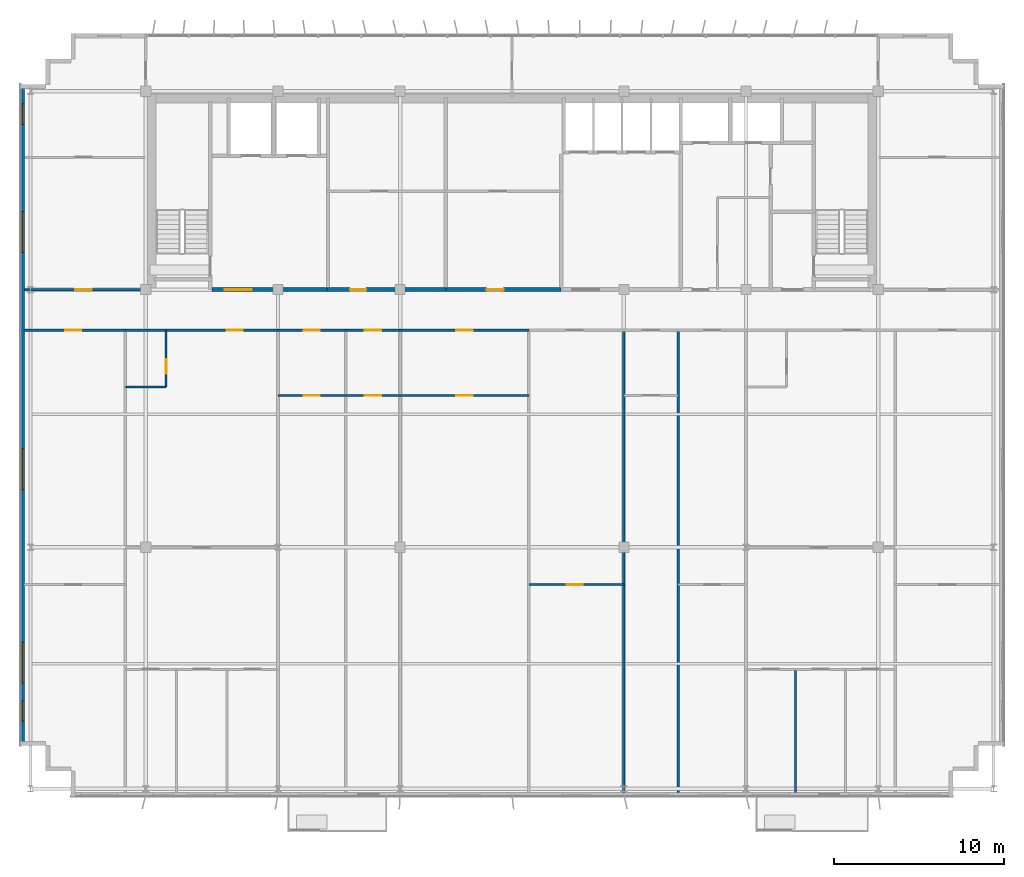
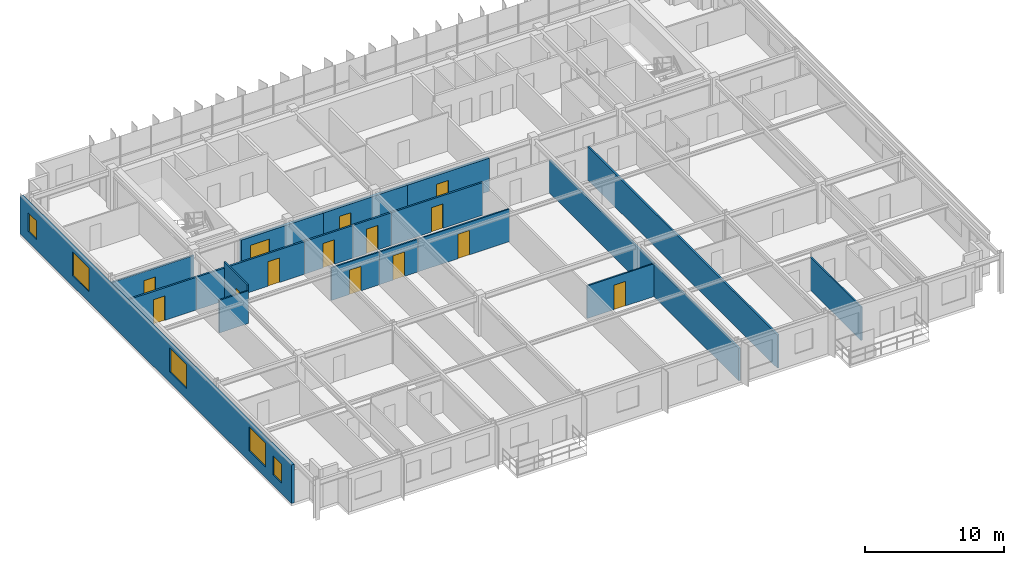
# One storey, part 17 of 22: 19 walls, 14 doors, 5 windows, 19 openings.
"""IFC4 building model written with IfcOpenShell, lengths in metres."""

from ifc_helpers import new_model, si_unit, direction, frame, frame_2d, origin, place, context, subcontext, project, spatial, rectangle, extrude, source, transform, mapped, material, layer, layer_set, type_object, element, fill, save


model = new_model("IFC4")

# Units and contexts
model_context = context("Model", 3, precision=1e-05, world=origin(), true_north=direction((0.0, 1.0)))
body_context = subcontext(model_context, "Body", "Model", "MODEL_VIEW")
ifc_project = project(units=[si_unit("LENGTHUNIT", "METRE"), si_unit("AREAUNIT", "SQUARE_METRE"), si_unit("VOLUMEUNIT", "CUBIC_METRE"), si_unit("PLANEANGLEUNIT", "RADIAN"), si_unit("MASSUNIT", "GRAM", prefix="KILO")], contexts=[model_context])

# Site, building, storey
site_placement = place(None, origin())
site = spatial("IfcSite", under=ifc_project, at=site_placement, CompositionType="ELEMENT")
building_placement = place(site_placement, origin())
building = spatial("IfcBuilding", under=site, at=building_placement, Name="Trelvane Seafront Commons", CompositionType="ELEMENT")
storey_placement = place(building_placement, frame((0.0, 0.0, 281.10009765625)))
storey = spatial("IfcBuildingStorey", under=building, at=storey_placement, Name="L73", CompositionType="ELEMENT", Elevation=281.10009765625)

# Wall, openings, windows
ifc_material_1 = material(Name="Precast concrete C40/50", Category="concrete")
ifc_layer_1 = layer(ifc_material_1, 0.239990234375, Name="ARCH-WALL-EXT240")
ifc_layer_set_1 = layer_set([ifc_layer_1], Name="Precast concrete C40/50")
wall_type_1 = type_object("IfcWallType", Name="ARCH-WALL-EXT240", PredefinedType="SOLIDWALL", material=ifc_layer_set_1)
wall_1_placement = place(storey_placement, frame((8.320068359375, 6.5, 0.0), z_axis=(0.0, 0.0, 1.0), x_axis=(0.0, 1.0, 0.0)))
wall_1 = element("IfcWall", 1, at=wall_1_placement, inside=storey, type_object=wall_type_1, Name="EW-L73-01471", PredefinedType="SOLIDWALL", context=body_context, shape_type="SweptSolid", body=[
    extrude(rectangle(XDim=39.0, YDim=0.239990234375, at=frame_2d((19.5, 0.0))), origin(), (0.0, 0.0, 1.0), 3.369873046875),
])
opening_1_placement = place(wall_1_placement, frame((1.449951171875, 0.0, 0.919921875)))
opening_1 = element("IfcOpeningElement", 2, at=opening_1_placement, cuts=wall_1, Name="Opening W05", PredefinedType="OPENING", context=body_context, shape_type="SweptSolid", body=[
    extrude(rectangle(XDim=1.199951171875, YDim=1.64990234375, at=frame_2d((0.60009765625, 0.824951171875))), frame((0.0, 0.1298828125, 0.0), z_axis=(0.0, -1.0, 0.0), x_axis=(1.0, 0.0, 0.0)), (0.0, 0.0, 1.0), 0.260009765625),
])
opening_2_placement = place(wall_1_placement, frame((3.699951171875, 0.0, 0.919921875)))
opening_2 = element("IfcOpeningElement", 3, at=opening_2_placement, cuts=wall_1, Name="Opening W08", PredefinedType="OPENING", context=body_context, shape_type="SweptSolid", body=[
    extrude(rectangle(XDim=2.39990234375, YDim=2.10009765625, at=frame_2d((1.199951171875, 1.050048828125))), frame((0.0, 0.1298828125, 0.0), z_axis=(0.0, -1.0, 0.0), x_axis=(1.0, 0.0, 0.0)), (0.0, 0.0, 1.0), 0.260009765625),
])
opening_3_placement = place(wall_1_placement, frame((15.10009765625, 0.0, 0.919921875)))
opening_3 = element("IfcOpeningElement", 4, at=opening_3_placement, cuts=wall_1, Name="Opening W08", PredefinedType="OPENING", context=body_context, shape_type="SweptSolid", body=[
    extrude(rectangle(XDim=2.39990234375, YDim=2.10009765625, at=frame_2d((1.199951171875, 1.050048828125))), frame((0.0, 0.1298828125, 0.0), z_axis=(0.0, -1.0, 0.0), x_axis=(1.0, 0.0, 0.0)), (0.0, 0.0, 1.0), 0.260009765625),
])
opening_4_placement = place(wall_1_placement, frame((29.10009765625, 0.0, 0.919921875)))
opening_4 = element("IfcOpeningElement", 5, at=opening_4_placement, cuts=wall_1, Name="Opening W08", PredefinedType="OPENING", context=body_context, shape_type="SweptSolid", body=[
    extrude(rectangle(XDim=2.39990234375, YDim=2.10009765625, at=frame_2d((1.199951171875, 1.050048828125))), frame((0.0, 0.1298828125, 0.0), z_axis=(0.0, -1.0, 0.0), x_axis=(1.0, 0.0, 0.0)), (0.0, 0.0, 1.0), 0.260009765625),
])
opening_5_placement = place(wall_1_placement, frame((36.64990234375, 0.0, 0.919921875)))
opening_5 = element("IfcOpeningElement", 6, at=opening_5_placement, cuts=wall_1, Name="Opening W05", PredefinedType="OPENING", context=body_context, shape_type="SweptSolid", body=[
    extrude(rectangle(XDim=1.199951171875, YDim=1.64990234375, at=frame_2d((0.60009765625, 0.824951171875))), frame((0.0, 0.1298828125, 0.0), z_axis=(0.0, -1.0, 0.0), x_axis=(1.0, 0.0, 0.0)), (0.0, 0.0, 1.0), 0.260009765625),
])
ifc_material_2 = material(Name="Low-E coastal double glazing", Category="glass")
window_type_1 = type_object("IfcWindowType", Name="ARCH-WIN-W08", PartitioningType="SINGLE_PANEL", PredefinedType="WINDOW", material=ifc_material_2)
shared_shape_1 = source(origin(), body_context, "Body", "SweptSolid", [
    extrude(rectangle(XDim=2.39990234375, YDim=2.10009765625, at=frame_2d((1.199951171875, 1.050048828125))), frame((0.0, 0.030029296875, 0.0), z_axis=(0.0, -1.0, 0.0), x_axis=(1.0, 0.0, 0.0)), (0.0, 0.0, 1.0), 0.06005859375),
])
window_1_placement = place(opening_2_placement, origin())
window_1 = element("IfcWindow", 7, at=window_1_placement, inside=storey, type_object=window_type_1, Name="WIN-L73-EW-01750", OverallHeight=2.10009765625, OverallWidth=2.39990234375, PartitioningType="SINGLE_PANEL", PredefinedType="WINDOW", context=body_context, shape_type="MappedRepresentation", body=[
    mapped(shared_shape_1, transform((0.0, 0.0, 0.0), x_axis=(1.0, 0.0, 0.0), y_axis=(0.0, 1.0, 0.0), z_axis=(0.0, 0.0, 1.0), scale=1.0)),
])
fill(opening_2, window_1)
window_2_placement = place(opening_3_placement, origin())
window_2 = element("IfcWindow", 8, at=window_2_placement, inside=storey, type_object=window_type_1, Name="WIN-L73-EW-01751", OverallHeight=2.10009765625, OverallWidth=2.39990234375, PartitioningType="SINGLE_PANEL", PredefinedType="WINDOW", context=body_context, shape_type="MappedRepresentation", body=[
    mapped(shared_shape_1, transform((0.0, 0.0, 0.0), x_axis=(1.0, 0.0, 0.0), y_axis=(0.0, 1.0, 0.0), z_axis=(0.0, 0.0, 1.0), scale=1.0)),
])
fill(opening_3, window_2)
window_3_placement = place(opening_4_placement, origin())
window_3 = element("IfcWindow", 9, at=window_3_placement, inside=storey, type_object=window_type_1, Name="WIN-L73-EW-01752", OverallHeight=2.10009765625, OverallWidth=2.39990234375, PartitioningType="SINGLE_PANEL", PredefinedType="WINDOW", context=body_context, shape_type="MappedRepresentation", body=[
    mapped(shared_shape_1, transform((0.0, 0.0, 0.0), x_axis=(1.0, 0.0, 0.0), y_axis=(0.0, 1.0, 0.0), z_axis=(0.0, 0.0, 1.0), scale=1.0)),
])
fill(opening_4, window_3)
window_type_2 = type_object("IfcWindowType", Name="ARCH-WIN-W05", PartitioningType="SINGLE_PANEL", PredefinedType="WINDOW", material=ifc_material_2)
shared_shape_2 = source(origin(), body_context, "Body", "SweptSolid", [
    extrude(rectangle(XDim=1.199951171875, YDim=1.64990234375, at=frame_2d((0.60009765625, 0.824951171875))), frame((0.0, 0.030029296875, 0.0), z_axis=(0.0, -1.0, 0.0), x_axis=(1.0, 0.0, 0.0)), (0.0, 0.0, 1.0), 0.06005859375),
])
window_4_placement = place(opening_1_placement, origin())
window_4 = element("IfcWindow", 10, at=window_4_placement, inside=storey, type_object=window_type_2, Name="WIN-L73-EW-01749", OverallHeight=1.64990234375, OverallWidth=1.199951171875, PartitioningType="SINGLE_PANEL", PredefinedType="WINDOW", context=body_context, shape_type="MappedRepresentation", body=[
    mapped(shared_shape_2, transform((0.0, 0.0, 0.0), x_axis=(1.0, 0.0, 0.0), y_axis=(0.0, 1.0, 0.0), z_axis=(0.0, 0.0, 1.0), scale=1.0)),
])
fill(opening_1, window_4)
window_5_placement = place(opening_5_placement, origin())
window_5 = element("IfcWindow", 11, at=window_5_placement, inside=storey, type_object=window_type_2, Name="WIN-L73-EW-01753", OverallHeight=1.64990234375, OverallWidth=1.199951171875, PartitioningType="SINGLE_PANEL", PredefinedType="WINDOW", context=body_context, shape_type="MappedRepresentation", body=[
    mapped(shared_shape_2, transform((0.0, 0.0, 0.0), x_axis=(1.0, 0.0, 0.0), y_axis=(0.0, 1.0, 0.0), z_axis=(0.0, 0.0, 1.0), scale=1.0)),
])
fill(opening_5, window_5)

# Wall, opening, door
ifc_material_3 = material(Name="Concrete C40/50", Category="concrete")
ifc_layer_2 = layer(ifc_material_3, 0.25, Name="ARCH-WALL-FIRE250")
ifc_layer_set_2 = layer_set([ifc_layer_2], Name="Concrete C40/50")
wall_type_2 = type_object("IfcWallType", Name="ARCH-WALL-FIRE250", PredefinedType="PARTITIONING", material=ifc_layer_set_2)
wall_2_placement = place(storey_placement, frame((19.5, 33.39990234375, 0.0), z_axis=(0.0, 0.0, 1.0), x_axis=(1.0, 0.0, 0.0)))
wall_2 = element("IfcWall", 12, at=wall_2_placement, inside=storey, type_object=wall_type_2, Name="W-L73-CS-FFL-013", PredefinedType="PARTITIONING", context=body_context, shape_type="SweptSolid", body=[
    extrude(rectangle(XDim=6.800048828125, YDim=0.25, at=frame_2d((3.39990234375, 0.0))), origin(), (0.0, 0.0, 1.0), 2.919921875),
])
opening_6_placement = place(wall_2_placement, frame((0.75, 0.0, 0.0)))
opening_6 = element("IfcOpeningElement", 13, at=opening_6_placement, cuts=wall_2, Name="Opening FD-L73-05", PredefinedType="OPENING", context=body_context, shape_type="SweptSolid", body=[
    extrude(rectangle(XDim=1.60009765625, YDim=2.199951171875, at=frame_2d((0.800048828125, 1.10009765625))), frame((0.0, 0.135009765625, 0.0), z_axis=(0.0, -1.0, 0.0), x_axis=(1.0, 0.0, 0.0)), (0.0, 0.0, 1.0), 0.27001953125),
])
ifc_material_4 = material(Name="Powder-coated aluminium frame", Category="aluminium")
door_type_1 = type_object("IfcDoorType", Name="ARCH-DR-FD60-1600", OperationType="DOUBLE_DOOR_SINGLE_SWING", PredefinedType="DOOR", material=ifc_material_4)
shared_shape_3 = source(origin(), body_context, "Body", "SweptSolid", [
    extrude(rectangle(XDim=1.60009765625, YDim=2.199951171875, at=frame_2d((0.800048828125, 1.10009765625))), frame((0.0, 0.02490234375, 0.0), z_axis=(0.0, -1.0, 0.0), x_axis=(1.0, 0.0, 0.0)), (0.0, 0.0, 1.0), 0.050048828125),
])
door_1_placement = place(opening_6_placement, origin())
door_1 = element("IfcDoor", 14, at=door_1_placement, inside=storey, type_object=door_type_1, Name="L73 Firefighting Lift Lobby Double Fire Door", OperationType="DOUBLE_DOOR_SINGLE_SWING", OverallHeight=2.199951171875, OverallWidth=1.60009765625, PredefinedType="DOOR", context=body_context, shape_type="MappedRepresentation", body=[
    mapped(shared_shape_3, transform((0.0, 0.0, 0.0), x_axis=(1.0, 0.0, 0.0), y_axis=(0.0, 1.0, 0.0), z_axis=(0.0, 0.0, 1.0), scale=1.0)),
])
fill(opening_6, door_1)

wall_3_placement = place(storey_placement, frame((26.300048828125, 33.39990234375, 0.0), z_axis=(0.0, 0.0, 1.0), x_axis=(1.0, 0.0, 0.0)))
wall_3 = element("IfcWall", 15, at=wall_3_placement, inside=storey, type_object=wall_type_2, Name="W-L73-CS-FPL-024", PredefinedType="PARTITIONING", context=body_context, shape_type="SweptSolid", body=[
    extrude(rectangle(XDim=7.0, YDim=0.25, at=frame_2d((3.5, 0.0))), origin(), (0.0, 0.0, 1.0), 2.919921875),
])
opening_7_placement = place(wall_3_placement, frame((1.35009765625, 0.0, 0.0)))
opening_7 = element("IfcOpeningElement", 16, at=opening_7_placement, cuts=wall_3, Name="Opening D-L73-12", PredefinedType="OPENING", context=body_context, shape_type="SweptSolid", body=[
    extrude(rectangle(XDim=0.949951171875, YDim=2.14990234375, at=frame_2d((0.47509765625, 1.074951171875))), frame((0.0, 0.135009765625, 0.0), z_axis=(0.0, -1.0, 0.0), x_axis=(1.0, 0.0, 0.0)), (0.0, 0.0, 1.0), 0.27001953125),
])
ifc_material_5 = material(Name="Acoustic timber door leaf", Category="wood")
door_type_2 = type_object("IfcDoorType", Name="ARCH-DR-INT950", OperationType="NOTDEFINED", PredefinedType="DOOR", material=ifc_material_5)
shared_shape_4 = source(origin(), body_context, "Body", "SweptSolid", [
    extrude(rectangle(XDim=0.949951171875, YDim=2.14990234375, at=frame_2d((0.47509765625, 1.074951171875))), frame((0.0, 0.02490234375, 0.0), z_axis=(0.0, -1.0, 0.0), x_axis=(1.0, 0.0, 0.0)), (0.0, 0.0, 1.0), 0.050048828125),
])
door_2_placement = place(opening_7_placement, origin())
door_2 = element("IfcDoor", 17, at=door_2_placement, inside=storey, type_object=door_type_2, Name="L73 Floor Pantry Entrance Door", OperationType="SINGLE_SWING_RIGHT", OverallHeight=2.14990234375, OverallWidth=0.949951171875, PredefinedType="DOOR", context=body_context, shape_type="MappedRepresentation", body=[
    mapped(shared_shape_4, transform((0.0, 0.0, 0.0), x_axis=(1.0, 0.0, 0.0), y_axis=(0.0, 1.0, 0.0), z_axis=(0.0, 0.0, 1.0), scale=1.0)),
])
fill(opening_7, door_2)

wall_4_placement = place(storey_placement, frame((33.300048828125, 33.39990234375, 0.0), z_axis=(0.0, 0.0, 1.0), x_axis=(1.0, 0.0, 0.0)))
wall_4 = element("IfcWall", 18, at=wall_4_placement, inside=storey, type_object=wall_type_2, Name="W-L73-CS-FPM-025", PredefinedType="PARTITIONING", context=body_context, shape_type="SweptSolid", body=[
    extrude(rectangle(XDim=6.800048828125, YDim=0.25, at=frame_2d((3.39990234375, 0.0))), origin(), (0.0, 0.0, 1.0), 2.919921875),
])
opening_8_placement = place(wall_4_placement, frame((2.39990234375, 0.0, 0.0)))
opening_8 = element("IfcOpeningElement", 19, at=opening_8_placement, cuts=wall_4, Name="Opening FD-L73-13", PredefinedType="OPENING", context=body_context, shape_type="SweptSolid", body=[
    extrude(rectangle(XDim=1.0, YDim=2.14990234375, at=frame_2d((0.5, 1.074951171875))), frame((0.0, 0.135009765625, 0.0), z_axis=(0.0, -1.0, 0.0), x_axis=(1.0, 0.0, 0.0)), (0.0, 0.0, 1.0), 0.27001953125),
])
door_type_3 = type_object("IfcDoorType", Name="ARCH-DR-FD60-1000", OperationType="NOTDEFINED", PredefinedType="DOOR", material=ifc_material_4)
shared_shape_5 = source(origin(), body_context, "Body", "SweptSolid", [
    extrude(rectangle(XDim=1.0, YDim=2.14990234375, at=frame_2d((0.5, 1.074951171875))), frame((0.0, 0.02490234375, 0.0), z_axis=(0.0, -1.0, 0.0), x_axis=(1.0, 0.0, 0.0)), (0.0, 0.0, 1.0), 0.050048828125),
])
door_3_placement = place(opening_8_placement, origin())
door_3 = element("IfcDoor", 20, at=door_3_placement, inside=storey, type_object=door_type_3, Name="L73 Trunk Storage Door", OperationType="SINGLE_SWING_LEFT", OverallHeight=2.14990234375, OverallWidth=1.0, PredefinedType="DOOR", context=body_context, shape_type="MappedRepresentation", body=[
    mapped(shared_shape_5, transform((0.0, 0.0, 0.0), x_axis=(1.0, 0.0, 0.0), y_axis=(0.0, 1.0, 0.0), z_axis=(0.0, 0.0, 1.0), scale=1.0)),
])
fill(opening_8, door_3)

ifc_material_6 = material(Name="Gypsum Drywall Acoustic Partition")
ifc_layer_3 = layer(ifc_material_6, 0.1201171875, Name="ARCH-WALL-PART120")
ifc_layer_set_3 = layer_set([ifc_layer_3], Name="Gypsum Drywall Acoustic Partition")
wall_type_3 = type_object("IfcWallType", Name="ARCH-WALL-PART120", PredefinedType="PARTITIONING", material=ifc_layer_set_3)
wall_5_placement = place(storey_placement, frame((16.800048828125, 27.64990234375, 0.0), z_axis=(0.0, 0.0, 1.0), x_axis=(0.0, 1.0, 0.0)))
wall_5 = element("IfcWall", 21, at=wall_5_placement, inside=storey, type_object=wall_type_3, Name="W-L73-U2-BE-054", PredefinedType="PARTITIONING", context=body_context, shape_type="SweptSolid", body=[
    extrude(rectangle(XDim=3.35009765625, YDim=0.1201171875, at=frame_2d((1.675048828125, 0.0))), origin(), (0.0, 0.0, 1.0), 3.369873046875),
])
opening_9_placement = place(wall_5_placement, frame((0.800048828125, 0.0, 0.0)))
opening_9 = element("IfcOpeningElement", 22, at=opening_9_placement, cuts=wall_5, Name="Opening D-L73-31", PredefinedType="OPENING", context=body_context, shape_type="SweptSolid", body=[
    extrude(rectangle(XDim=0.85009765625, YDim=2.10009765625, at=frame_2d((0.425048828125, 1.050048828125))), frame((0.0, 0.070068359375, 0.0), z_axis=(0.0, -1.0, 0.0), x_axis=(1.0, 0.0, 0.0)), (0.0, 0.0, 1.0), 0.14013671875),
])
door_type_4 = type_object("IfcDoorType", Name="ARCH-DR-INT850", OperationType="NOTDEFINED", PredefinedType="DOOR", material=ifc_material_5)
shared_shape_6 = source(origin(), body_context, "Body", "SweptSolid", [
    extrude(rectangle(XDim=0.85009765625, YDim=2.10009765625, at=frame_2d((0.425048828125, 1.050048828125))), frame((0.0, 0.02490234375, 0.0), z_axis=(0.0, -1.0, 0.0), x_axis=(1.0, 0.0, 0.0)), (0.0, 0.0, 1.0), 0.050048828125),
])
door_4_placement = place(opening_9_placement, origin())
door_4 = element("IfcDoor", 23, at=door_4_placement, inside=storey, type_object=door_type_4, Name="L73 Door 31", OperationType="SINGLE_SWING_LEFT", OverallHeight=2.10009765625, OverallWidth=0.85009765625, PredefinedType="DOOR", context=body_context, shape_type="MappedRepresentation", body=[
    mapped(shared_shape_6, transform((0.0, 0.0, 0.0), x_axis=(1.0, 0.0, 0.0), y_axis=(0.0, 1.0, 0.0), z_axis=(0.0, 0.0, 1.0), scale=1.0)),
])
fill(opening_9, door_4)

# Wall
wall_6_placement = place(storey_placement, frame((14.39990234375, 27.64990234375, 0.0), z_axis=(0.0, 0.0, 1.0), x_axis=(1.0, 0.0, 0.0)))
element("IfcWall", 24, at=wall_6_placement, inside=storey, type_object=wall_type_3, Name="W-L73-U2-BS-055", PredefinedType="PARTITIONING", context=body_context, shape_type="SweptSolid", body=[
    extrude(rectangle(XDim=2.400146484375, YDim=0.1201171875, at=frame_2d((1.2001953125, 0.0))), origin(), (0.0, 0.0, 1.0), 2.869873046875),
])

# Wall, opening, door
wall_7_placement = place(storey_placement, frame((23.39990234375, 27.14990234375, 0.0), z_axis=(0.0, 0.0, 1.0), x_axis=(1.0, 0.0, 0.0)))
wall_7 = element("IfcWall", 25, at=wall_7_placement, inside=storey, type_object=wall_type_3, Name="W-L73-U3-DIV-063", PredefinedType="PARTITIONING", context=body_context, shape_type="SweptSolid", body=[
    extrude(rectangle(XDim=4.0, YDim=0.1201171875, at=frame_2d((2.0, 0.0))), origin(), (0.0, 0.0, 1.0), 2.869873046875),
])
opening_10_placement = place(wall_7_placement, frame((1.52490234375, 0.0, 0.0)))
opening_10 = element("IfcOpeningElement", 26, at=opening_10_placement, cuts=wall_7, Name="Opening D-L73-37", PredefinedType="OPENING", context=body_context, shape_type="SweptSolid", body=[
    extrude(rectangle(XDim=0.949951171875, YDim=2.14990234375, at=frame_2d((0.47509765625, 1.074951171875))), frame((0.0, 0.070068359375, 0.0), z_axis=(0.0, -1.0, 0.0), x_axis=(1.0, 0.0, 0.0)), (0.0, 0.0, 1.0), 0.14013671875),
])
door_5_placement = place(opening_10_placement, origin())
door_5 = element("IfcDoor", 27, at=door_5_placement, inside=storey, type_object=door_type_2, Name="L73 Door 37", OperationType="SINGLE_SWING_LEFT", OverallHeight=2.14990234375, OverallWidth=0.949951171875, PredefinedType="DOOR", context=body_context, shape_type="MappedRepresentation", body=[
    mapped(shared_shape_4, transform((0.0, 0.0, 0.0), x_axis=(1.0, 0.0, 0.0), y_axis=(0.0, 1.0, 0.0), z_axis=(0.0, 0.0, 1.0), scale=1.0)),
])
fill(opening_10, door_5)

wall_8_placement = place(storey_placement, frame((27.39990234375, 27.14990234375, 0.0), z_axis=(0.0, 0.0, 1.0), x_axis=(1.0, 0.0, 0.0)))
wall_8 = element("IfcWall", 28, at=wall_8_placement, inside=storey, type_object=wall_type_3, Name="W-L73-U4-DIV-065", PredefinedType="PARTITIONING", context=body_context, shape_type="SweptSolid", body=[
    extrude(rectangle(XDim=3.2001953125, YDim=0.1201171875, at=frame_2d((1.60009765625, 0.0))), origin(), (0.0, 0.0, 1.0), 2.869873046875),
])
opening_11_placement = place(wall_8_placement, frame((1.125, 0.0, 0.0)))
opening_11 = element("IfcOpeningElement", 29, at=opening_11_placement, cuts=wall_8, Name="Opening D-L73-39", PredefinedType="OPENING", context=body_context, shape_type="SweptSolid", body=[
    extrude(rectangle(XDim=0.949951171875, YDim=2.14990234375, at=frame_2d((0.47509765625, 1.074951171875))), frame((0.0, 0.070068359375, 0.0), z_axis=(0.0, -1.0, 0.0), x_axis=(1.0, 0.0, 0.0)), (0.0, 0.0, 1.0), 0.14013671875),
])
door_6_placement = place(opening_11_placement, origin())
door_6 = element("IfcDoor", 30, at=door_6_placement, inside=storey, type_object=door_type_2, Name="L73 Door 39", OperationType="SINGLE_SWING_LEFT", OverallHeight=2.14990234375, OverallWidth=0.949951171875, PredefinedType="DOOR", context=body_context, shape_type="MappedRepresentation", body=[
    mapped(shared_shape_4, transform((0.0, 0.0, 0.0), x_axis=(1.0, 0.0, 0.0), y_axis=(0.0, 1.0, 0.0), z_axis=(0.0, 0.0, 1.0), scale=1.0)),
])
fill(opening_11, door_6)

wall_9_placement = place(storey_placement, frame((30.60009765625, 27.14990234375, 0.0), z_axis=(0.0, 0.0, 1.0), x_axis=(1.0, 0.0, 0.0)))
wall_9 = element("IfcWall", 31, at=wall_9_placement, inside=storey, type_object=wall_type_3, Name="W-L73-U5-DIV-067", PredefinedType="PARTITIONING", context=body_context, shape_type="SweptSolid", body=[
    extrude(rectangle(XDim=7.599853515625, YDim=0.1201171875, at=frame_2d((3.7998046875, 0.0))), origin(), (0.0, 0.0, 1.0), 2.869873046875),
])
opening_12_placement = place(wall_9_placement, frame((3.324951171875, 0.0, 0.0)))
opening_12 = element("IfcOpeningElement", 32, at=opening_12_placement, cuts=wall_9, Name="Opening D-L73-41", PredefinedType="OPENING", context=body_context, shape_type="SweptSolid", body=[
    extrude(rectangle(XDim=0.949951171875, YDim=2.14990234375, at=frame_2d((0.47509765625, 1.074951171875))), frame((0.0, 0.070068359375, 0.0), z_axis=(0.0, -1.0, 0.0), x_axis=(1.0, 0.0, 0.0)), (0.0, 0.0, 1.0), 0.14013671875),
])
door_7_placement = place(opening_12_placement, origin())
door_7 = element("IfcDoor", 33, at=door_7_placement, inside=storey, type_object=door_type_2, Name="L73 Door 41", OperationType="SINGLE_SWING_LEFT", OverallHeight=2.14990234375, OverallWidth=0.949951171875, PredefinedType="DOOR", context=body_context, shape_type="MappedRepresentation", body=[
    mapped(shared_shape_4, transform((0.0, 0.0, 0.0), x_axis=(1.0, 0.0, 0.0), y_axis=(0.0, 1.0, 0.0), z_axis=(0.0, 0.0, 1.0), scale=1.0)),
])
fill(opening_12, door_7)

wall_10_placement = place(storey_placement, frame((38.199951171875, 16.0, 0.0), z_axis=(0.0, 0.0, 1.0), x_axis=(1.0, 0.0, 0.0)))
wall_10 = element("IfcWall", 34, at=wall_10_placement, inside=storey, type_object=wall_type_3, Name="W-L73-U6-DIV-069", PredefinedType="PARTITIONING", context=body_context, shape_type="SweptSolid", body=[
    extrude(rectangle(XDim=5.60009765625, YDim=0.1201171875, at=frame_2d((2.800048828125, 0.0))), origin(), (0.0, 0.0, 1.0), 2.869873046875),
])
opening_13_placement = place(wall_10_placement, frame((2.23193359375, 0.0, 0.0)))
opening_13 = element("IfcOpeningElement", 35, at=opening_13_placement, cuts=wall_10, Name="Opening D-L73-43", PredefinedType="OPENING", context=body_context, shape_type="SweptSolid", body=[
    extrude(rectangle(XDim=0.949951171875, YDim=2.14990234375, at=frame_2d((0.47509765625, 1.074951171875))), frame((0.0, 0.070068359375, 0.0), z_axis=(0.0, -1.0, 0.0), x_axis=(1.0, 0.0, 0.0)), (0.0, 0.0, 1.0), 0.14013671875),
])
door_8_placement = place(opening_13_placement, origin())
door_8 = element("IfcDoor", 36, at=door_8_placement, inside=storey, type_object=door_type_2, Name="L73 Door 43", OperationType="SINGLE_SWING_LEFT", OverallHeight=2.14990234375, OverallWidth=0.949951171875, PredefinedType="DOOR", context=body_context, shape_type="MappedRepresentation", body=[
    mapped(shared_shape_4, transform((0.0, 0.0, 0.0), x_axis=(1.0, 0.0, 0.0), y_axis=(0.0, 1.0, 0.0), z_axis=(0.0, 0.0, 1.0), scale=1.0)),
])
fill(opening_13, door_8)

# Wall
wall_11_placement = place(storey_placement, frame((53.93310546875, 3.72509765625, 0.0), z_axis=(0.0, 0.0, 1.0), x_axis=(0.0, 1.0, 0.0)))
element("IfcWall", 37, at=wall_11_placement, inside=storey, type_object=wall_type_3, Name="W-L73-U9-BDV-1-080", PredefinedType="PARTITIONING", context=body_context, shape_type="SweptSolid", body=[
    extrude(rectangle(XDim=7.27490234375, YDim=0.1201171875, at=frame_2d((3.637451171875, 0.0))), origin(), (0.0, 0.0, 1.0), 2.919921875),
])

# Wall, opening, door
ifc_layer_4 = layer(ifc_material_6, 0.14990234375, Name="ARCH-WALL-PART150")
ifc_layer_set_4 = layer_set([ifc_layer_4], Name="Gypsum Drywall Acoustic Partition")
wall_type_4 = type_object("IfcWallType", Name="ARCH-WALL-PART150", PredefinedType="PARTITIONING", material=ifc_layer_set_4)
wall_12_placement = place(storey_placement, frame((8.449951171875, 33.39990234375, 0.0), z_axis=(0.0, 0.0, 1.0), x_axis=(1.0, 0.0, 0.0)))
wall_12 = element("IfcWall", 38, at=wall_12_placement, inside=storey, type_object=wall_type_4, Name="W-L73-NW-ENT-036", PredefinedType="PARTITIONING", context=body_context, shape_type="SweptSolid", body=[
    extrude(rectangle(XDim=7.150146484375, YDim=0.14990234375, at=frame_2d((3.5751953125, 0.0))), origin(), (0.0, 0.0, 1.0), 2.919921875),
])
opening_14_placement = place(wall_12_placement, frame((3.0, 0.0, 0.0)))
opening_14 = element("IfcOpeningElement", 39, at=opening_14_placement, cuts=wall_12, Name="Opening FD-L73-22", PredefinedType="OPENING", context=body_context, shape_type="SweptSolid", body=[
    extrude(rectangle(XDim=0.949951171875, YDim=2.14990234375, at=frame_2d((0.47509765625, 1.074951171875))), frame((0.0, 0.0849609375, 0.0), z_axis=(0.0, -1.0, 0.0), x_axis=(1.0, 0.0, 0.0)), (0.0, 0.0, 1.0), 0.169921875),
])
door_type_5 = type_object("IfcDoorType", Name="ARCH-DR-FD60-950", OperationType="NOTDEFINED", PredefinedType="DOOR", material=ifc_material_4)
door_9_placement = place(opening_14_placement, origin())
door_9 = element("IfcDoor", 40, at=door_9_placement, inside=storey, type_object=door_type_5, Name="L73 NW Suite Entrance Door", OperationType="SINGLE_SWING_RIGHT", OverallHeight=2.14990234375, OverallWidth=0.949951171875, PredefinedType="DOOR", context=body_context, shape_type="MappedRepresentation", body=[
    mapped(shared_shape_4, transform((0.0, 0.0, 0.0), x_axis=(1.0, 0.0, 0.0), y_axis=(0.0, 1.0, 0.0), z_axis=(0.0, 0.0, 1.0), scale=1.0)),
])
fill(opening_14, door_9)

# Walls
wall_13_placement = place(storey_placement, frame((43.800048828125, 3.72509765625, 0.0), z_axis=(0.0, 0.0, 1.0), x_axis=(0.0, 1.0, 0.0)))
element("IfcWall", 41, at=wall_13_placement, inside=storey, type_object=wall_type_4, Name="W-L73-PW-6-047", PredefinedType="PARTITIONING", context=body_context, shape_type="SweptSolid", body=[
    extrude(rectangle(XDim=27.27490234375, YDim=0.14990234375, at=frame_2d((13.637451171875, 0.0))), origin(), (0.0, 0.0, 1.0), 2.869873046875),
])
wall_14_placement = place(storey_placement, frame((47.0, 3.72509765625, 0.0), z_axis=(0.0, 0.0, 1.0), x_axis=(0.0, 1.0, 0.0)))
element("IfcWall", 42, at=wall_14_placement, inside=storey, type_object=wall_type_4, Name="W-L73-PW-7-048", PredefinedType="PARTITIONING", context=body_context, shape_type="SweptSolid", body=[
    extrude(rectangle(XDim=27.27490234375, YDim=0.14990234375, at=frame_2d((13.637451171875, 0.0))), origin(), (0.0, 0.0, 1.0), 2.919921875),
])

# Wall, opening, door
wall_15_placement = place(storey_placement, frame((8.425048828125, 31.0, 0.0), z_axis=(0.0, 0.0, 1.0), x_axis=(1.0, 0.0, 0.0)))
wall_15 = element("IfcWall", 43, at=wall_15_placement, inside=storey, type_object=wall_type_4, Name="W-L73-CS-BAY-1-051", PredefinedType="PARTITIONING", context=body_context, shape_type="SweptSolid", body=[
    extrude(rectangle(XDim=5.974853515625, YDim=0.14990234375, at=frame_2d((2.9873046875, 0.0))), origin(), (0.0, 0.0, 1.0), 2.869873046875),
])
opening_15_placement = place(wall_15_placement, frame((2.419921875, 0.0, 0.0)))
opening_15 = element("IfcOpeningElement", 44, at=opening_15_placement, cuts=wall_15, Name="Opening FD-L73-28", PredefinedType="OPENING", context=body_context, shape_type="SweptSolid", body=[
    extrude(rectangle(XDim=0.949951171875, YDim=2.14990234375, at=frame_2d((0.47509765625, 1.074951171875))), frame((0.0, 0.0849609375, 0.0), z_axis=(0.0, -1.0, 0.0), x_axis=(1.0, 0.0, 0.0)), (0.0, 0.0, 1.0), 0.169921875),
])
door_10_placement = place(opening_15_placement, origin())
door_10 = element("IfcDoor", 45, at=door_10_placement, inside=storey, type_object=door_type_5, Name="L73 Bay 01 Entrance Door", OperationType="SINGLE_SWING_RIGHT", OverallHeight=2.14990234375, OverallWidth=0.949951171875, PredefinedType="DOOR", context=body_context, shape_type="MappedRepresentation", body=[
    mapped(shared_shape_4, transform((0.0, 0.0, 0.0), x_axis=(1.0, 0.0, 0.0), y_axis=(0.0, 1.0, 0.0), z_axis=(0.0, 0.0, 1.0), scale=1.0)),
])
fill(opening_15, door_10)

wall_16_placement = place(storey_placement, frame((14.39990234375, 31.0, 0.0), z_axis=(0.0, 0.0, 1.0), x_axis=(1.0, 0.0, 0.0)))
wall_16 = element("IfcWall", 46, at=wall_16_placement, inside=storey, type_object=wall_type_4, Name="W-L73-CS-BAY-2-056", PredefinedType="PARTITIONING", context=body_context, shape_type="SweptSolid", body=[
    extrude(rectangle(XDim=9.0, YDim=0.14990234375, at=frame_2d((4.5, 0.0))), origin(), (0.0, 0.0, 1.0), 2.869873046875),
])
opening_16_placement = place(wall_16_placement, frame((5.970947265625, 0.0, 0.0)))
opening_16 = element("IfcOpeningElement", 47, at=opening_16_placement, cuts=wall_16, Name="Opening FD-L73-32", PredefinedType="OPENING", context=body_context, shape_type="SweptSolid", body=[
    extrude(rectangle(XDim=0.949951171875, YDim=2.14990234375, at=frame_2d((0.47509765625, 1.074951171875))), frame((0.0, 0.0849609375, 0.0), z_axis=(0.0, -1.0, 0.0), x_axis=(1.0, 0.0, 0.0)), (0.0, 0.0, 1.0), 0.169921875),
])
door_11_placement = place(opening_16_placement, origin())
door_11 = element("IfcDoor", 48, at=door_11_placement, inside=storey, type_object=door_type_5, Name="L73 Unit 02 Entrance Door", OperationType="SINGLE_SWING_RIGHT", OverallHeight=2.14990234375, OverallWidth=0.949951171875, PredefinedType="DOOR", context=body_context, shape_type="MappedRepresentation", body=[
    mapped(shared_shape_4, transform((0.0, 0.0, 0.0), x_axis=(1.0, 0.0, 0.0), y_axis=(0.0, 1.0, 0.0), z_axis=(0.0, 0.0, 1.0), scale=1.0)),
])
fill(opening_16, door_11)

wall_17_placement = place(storey_placement, frame((23.39990234375, 31.0, 0.0), z_axis=(0.0, 0.0, 1.0), x_axis=(1.0, 0.0, 0.0)))
wall_17 = element("IfcWall", 49, at=wall_17_placement, inside=storey, type_object=wall_type_4, Name="W-L73-CS-BAY-3-062", PredefinedType="PARTITIONING", context=body_context, shape_type="SweptSolid", body=[
    extrude(rectangle(XDim=4.0, YDim=0.14990234375, at=frame_2d((2.0, 0.0))), origin(), (0.0, 0.0, 1.0), 2.869873046875),
])
opening_17_placement = place(wall_17_placement, frame((1.52490234375, 0.0, 0.0)))
opening_17 = element("IfcOpeningElement", 50, at=opening_17_placement, cuts=wall_17, Name="Opening FD-L73-36", PredefinedType="OPENING", context=body_context, shape_type="SweptSolid", body=[
    extrude(rectangle(XDim=0.949951171875, YDim=2.14990234375, at=frame_2d((0.47509765625, 1.074951171875))), frame((0.0, 0.0849609375, 0.0), z_axis=(0.0, -1.0, 0.0), x_axis=(1.0, 0.0, 0.0)), (0.0, 0.0, 1.0), 0.169921875),
])
door_12_placement = place(opening_17_placement, origin())
door_12 = element("IfcDoor", 51, at=door_12_placement, inside=storey, type_object=door_type_5, Name="L73 Bay 03 Entrance Door", OperationType="SINGLE_SWING_RIGHT", OverallHeight=2.14990234375, OverallWidth=0.949951171875, PredefinedType="DOOR", context=body_context, shape_type="MappedRepresentation", body=[
    mapped(shared_shape_4, transform((0.0, 0.0, 0.0), x_axis=(1.0, 0.0, 0.0), y_axis=(0.0, 1.0, 0.0), z_axis=(0.0, 0.0, 1.0), scale=1.0)),
])
fill(opening_17, door_12)

wall_18_placement = place(storey_placement, frame((27.39990234375, 31.0, 0.0), z_axis=(0.0, 0.0, 1.0), x_axis=(1.0, 0.0, 0.0)))
wall_18 = element("IfcWall", 52, at=wall_18_placement, inside=storey, type_object=wall_type_4, Name="W-L73-CS-BAY-4-064", PredefinedType="PARTITIONING", context=body_context, shape_type="SweptSolid", body=[
    extrude(rectangle(XDim=3.2001953125, YDim=0.14990234375, at=frame_2d((1.60009765625, 0.0))), origin(), (0.0, 0.0, 1.0), 2.869873046875),
])
opening_18_placement = place(wall_18_placement, frame((1.125, 0.0, 0.0)))
opening_18 = element("IfcOpeningElement", 53, at=opening_18_placement, cuts=wall_18, Name="Opening FD-L73-38", PredefinedType="OPENING", context=body_context, shape_type="SweptSolid", body=[
    extrude(rectangle(XDim=0.949951171875, YDim=2.14990234375, at=frame_2d((0.47509765625, 1.074951171875))), frame((0.0, 0.0849609375, 0.0), z_axis=(0.0, -1.0, 0.0), x_axis=(1.0, 0.0, 0.0)), (0.0, 0.0, 1.0), 0.169921875),
])
door_13_placement = place(opening_18_placement, origin())
door_13 = element("IfcDoor", 54, at=door_13_placement, inside=storey, type_object=door_type_5, Name="L73 Bay 04 Entrance Door", OperationType="SINGLE_SWING_RIGHT", OverallHeight=2.14990234375, OverallWidth=0.949951171875, PredefinedType="DOOR", context=body_context, shape_type="MappedRepresentation", body=[
    mapped(shared_shape_4, transform((0.0, 0.0, 0.0), x_axis=(1.0, 0.0, 0.0), y_axis=(0.0, 1.0, 0.0), z_axis=(0.0, 0.0, 1.0), scale=1.0)),
])
fill(opening_18, door_13)

wall_19_placement = place(storey_placement, frame((30.60009765625, 31.0, 0.0), z_axis=(0.0, 0.0, 1.0), x_axis=(1.0, 0.0, 0.0)))
wall_19 = element("IfcWall", 55, at=wall_19_placement, inside=storey, type_object=wall_type_4, Name="W-L73-CS-BAY-5-066", PredefinedType="PARTITIONING", context=body_context, shape_type="SweptSolid", body=[
    extrude(rectangle(XDim=7.599853515625, YDim=0.14990234375, at=frame_2d((3.7998046875, 0.0))), origin(), (0.0, 0.0, 1.0), 2.869873046875),
])
opening_19_placement = place(wall_19_placement, frame((3.324951171875, 0.0, 0.0)))
opening_19 = element("IfcOpeningElement", 56, at=opening_19_placement, cuts=wall_19, Name="Opening FD-L73-40", PredefinedType="OPENING", context=body_context, shape_type="SweptSolid", body=[
    extrude(rectangle(XDim=0.949951171875, YDim=2.14990234375, at=frame_2d((0.47509765625, 1.074951171875))), frame((0.0, 0.0849609375, 0.0), z_axis=(0.0, -1.0, 0.0), x_axis=(1.0, 0.0, 0.0)), (0.0, 0.0, 1.0), 0.169921875),
])
door_14_placement = place(opening_19_placement, origin())
door_14 = element("IfcDoor", 57, at=door_14_placement, inside=storey, type_object=door_type_5, Name="L73 Bay 05 Entrance Door", OperationType="SINGLE_SWING_RIGHT", OverallHeight=2.14990234375, OverallWidth=0.949951171875, PredefinedType="DOOR", context=body_context, shape_type="MappedRepresentation", body=[
    mapped(shared_shape_4, transform((0.0, 0.0, 0.0), x_axis=(1.0, 0.0, 0.0), y_axis=(0.0, 1.0, 0.0), z_axis=(0.0, 0.0, 1.0), scale=1.0)),
])
fill(opening_19, door_14)

save(model, "model.ifc")
